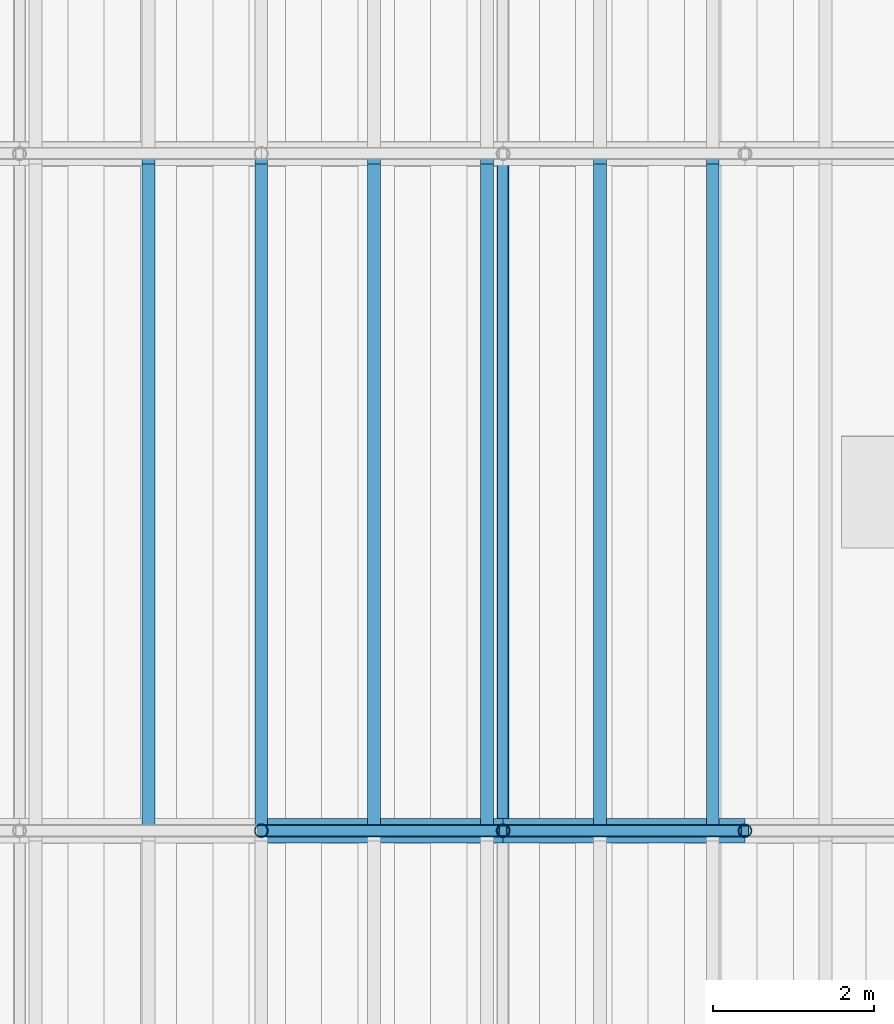
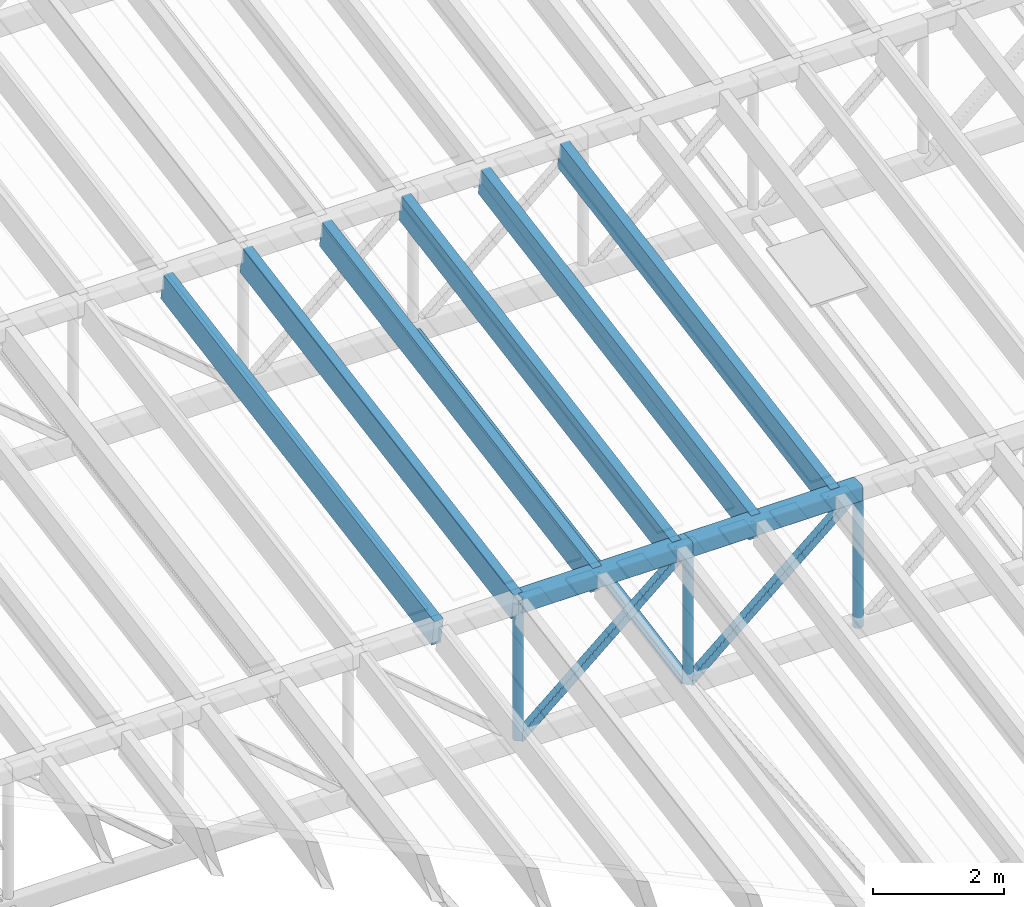
# One storey, part 5 of 91: 14 members.
"""IFC4 building model written with IfcOpenShell, lengths in metres."""

from ifc_helpers import new_model, si_unit, direction, frame, origin, origin_2d, place, context, subcontext, project, spatial, rectangle, hollow_rectangle, hollow_circle, extrude, material, material_profile, profile_set, type_object, element, save


model = new_model("IFC4")

# Units and contexts
model_context = context("Model", 3, precision=1e-05, world=origin(), true_north=direction((0.0, 1.0)))
body_context = subcontext(model_context, "Body", "Model", "MODEL_VIEW")
ifc_project = project(units=[si_unit("LENGTHUNIT", "METRE"), si_unit("AREAUNIT", "SQUARE_METRE"), si_unit("VOLUMEUNIT", "CUBIC_METRE"), si_unit("PLANEANGLEUNIT", "RADIAN"), si_unit("MASSUNIT", "GRAM", prefix="KILO")], contexts=[model_context])

# Site, building, storey
site_placement = place(None, origin())
site = spatial("IfcSite", under=ifc_project, at=site_placement, CompositionType="ELEMENT")
building_placement = place(site_placement, origin())
building = spatial("IfcBuilding", under=site, at=building_placement, Name="Almond Square Museum", CompositionType="ELEMENT")
storey_placement = place(building_placement, frame((0.0, 0.0, 30.0)))
storey = spatial("IfcBuildingStorey", under=building, at=storey_placement, Name="L05", CompositionType="ELEMENT", Elevation=30.0)

# Members
ifc_material_1 = material(Name="Glulam GL28h", Category="wood")
ifc_material_profile_1 = material_profile(ifc_material_1, rectangle(XDim=0.159912109375, YDim=0.5, at=origin_2d()))
ifc_profile_set_1 = profile_set([ifc_material_profile_1], Name="Glulam GL28h")
member_type_1 = type_object("IfcMemberType", Name="Glulam rafter GL28h 160x500", PredefinedType="RAFTER", material=ifc_profile_set_1)
for number, where, z_axis, x_axis, name in (
    (1, (126.39990234375, 58.830078125, 7.619873046875), (0.0, 0.985026646226, 0.172402164214), (-1.0, 0.0, 0.0), "Hall rafter 2.15"),
    (2, (127.800048828125, 58.830078125, 7.619873046875), (0.0, 0.985026646226, 0.172402164214), (-1.0, 0.0, 0.0), "Hall rafter 2.16"),
    (3, (129.199951171875, 58.830078125, 7.619873046875), (0.0, 0.985026646226, 0.172402164214), (-1.0, 0.0, 0.0), "Hall rafter 2.17"),
    (4, (130.60009765625, 58.830078125, 7.619873046875), (0.0, 0.985026646226, 0.172402164214), (-1.0, 0.0, 0.0), "Hall rafter 2.18"),
    (5, (132.0, 58.830078125, 7.619873046875), (0.0, 0.985026646226, 0.172402164214), (-1.0, 0.0, 0.0), "Hall rafter 2.19"),
    (6, (133.39990234375, 58.830078125, 7.619873046875), (0.0, 0.985026646226, 0.172402164214), (-1.0, 0.0, 0.0), "Hall rafter 2.20"),
):
    element("IfcMember", number, at=place(storey_placement, frame(where, z_axis=z_axis, x_axis=x_axis)), inside=storey, type_object=member_type_1, Name=name, PredefinedType="RAFTER", context=body_context, shape_type="SweptSolid", body=[
        extrude(rectangle(XDim=0.159912109375, YDim=0.5, at=origin_2d()), origin(), (0.0, 0.0, 1.0), 8.408935546875),
    ])
ifc_material_2 = material(Name="Structural steel S355", Category="steel")
ifc_material_profile_2 = material_profile(ifc_material_2, hollow_rectangle(XDim=0.300048828125, YDim=0.300048828125, WallThickness=0.012451171875, InnerFilletRadius=0.02490234375, OuterFilletRadius=0.03759765625, at=origin_2d()))
ifc_profile_set_2 = profile_set([ifc_material_profile_2], Name="Structural steel S355")
member_type_2 = type_object("IfcMemberType", Name="Truss chord SHS 300x300x12.5", PredefinedType="CHORD", material=ifc_profile_set_2)
for number, where, z_axis, x_axis, name in (
    (7, (127.800048828125, 58.800048828125, 7.718505859375), (1.0, 0.0, 0.0), (0.0, 1.0, 0.0), "TR-02 top chord 8"),
    (8, (130.800048828125, 58.800048828125, 7.718505859375), (1.0, 0.0, 0.0), (0.0, 1.0, 0.0), "TR-02 top chord 9"),
):
    element("IfcMember", number, at=place(storey_placement, frame(where, z_axis=z_axis, x_axis=x_axis)), inside=storey, type_object=member_type_2, Name=name, PredefinedType="CHORD", context=body_context, shape_type="SweptSolid", body=[
        extrude(hollow_rectangle(XDim=0.300048828125, YDim=0.300048828125, WallThickness=0.012451171875, InnerFilletRadius=0.02490234375, OuterFilletRadius=0.03759765625, at=origin_2d()), origin(), (0.0, 0.0, 1.0), 3.0),
    ])
ifc_material_3 = material(Name="Structural steel S355", Category="steel")
ifc_material_profile_3 = material_profile(ifc_material_3, hollow_rectangle(XDim=0.14990234375, YDim=0.14990234375, WallThickness=0.008056640625, InnerFilletRadius=0.011962890625, OuterFilletRadius=0.02001953125, at=origin_2d()))
ifc_profile_set_3 = profile_set([ifc_material_profile_3], Name="Structural steel S355")
member_type_3 = type_object("IfcMemberType", Name="Truss diagonal SHS 150x150x8", PredefinedType="BRACE", material=ifc_profile_set_3)
for number, where, z_axis, x_axis, name in (
    (9, (127.800048828125, 58.800048828125, 5.169921875), (0.762116801264, 0.0, 0.647439557975), (0.0, 1.0, 0.0), "TR-02 diagonal 8"),
    (10, (130.800048828125, 58.800048828125, 5.169921875), (0.762116801264, 0.0, 0.647439557975), (0.0, 1.0, 0.0), "TR-02 diagonal 9"),
):
    element("IfcMember", number, at=place(storey_placement, frame(where, z_axis=z_axis, x_axis=x_axis)), inside=storey, type_object=member_type_3, Name=name, PredefinedType="BRACE", context=body_context, shape_type="SweptSolid", body=[
        extrude(hollow_rectangle(XDim=0.14990234375, YDim=0.14990234375, WallThickness=0.008056640625, InnerFilletRadius=0.011962890625, OuterFilletRadius=0.02001953125, at=origin_2d()), origin(), (0.0, 0.0, 1.0), 3.9365234375),
    ])
ifc_material_4 = material(Name="Structural steel S355", Category="steel")
ifc_material_profile_4 = material_profile(ifc_material_4, hollow_circle(Radius=0.084228515625, WallThickness=0.008056640625, at=origin_2d()))
ifc_profile_set_4 = profile_set([ifc_material_profile_4], Name="Structural steel S355")
member_type_4 = type_object("IfcMemberType", Name="Truss post CHS 168.3x8", PredefinedType="POST", material=ifc_profile_set_4)
for number, where, z_axis, x_axis, name in (
    (11, (127.800048828125, 58.800048828125, 5.169921875), (0.0, 0.0, 1.0), (1.0, 0.0, 0.0), "TR-02 post 8"),
    (12, (130.800048828125, 58.800048828125, 5.169921875), (0.0, 0.0, 1.0), (1.0, 0.0, 0.0), "TR-02 post 9"),
    (13, (133.800048828125, 58.800048828125, 5.169921875), (0.0, 0.0, 1.0), (1.0, 0.0, 0.0), "TR-02 post 10"),
):
    element("IfcMember", number, at=place(storey_placement, frame(where, z_axis=z_axis, x_axis=x_axis)), inside=storey, type_object=member_type_4, Name=name, PredefinedType="POST", context=body_context, shape_type="SweptSolid", body=[
        extrude(hollow_circle(Radius=0.084228515625, WallThickness=0.008056640625, at=origin_2d()), origin(), (0.0, 0.0, 1.0), 2.548583984375),
    ])
ifc_material_5 = material(Name="Structural steel S355", Category="steel")
ifc_material_profile_5 = material_profile(ifc_material_5, hollow_rectangle(XDim=0.14990234375, YDim=0.14990234375, WallThickness=0.008056640625, InnerFilletRadius=0.011962890625, OuterFilletRadius=0.02001953125, at=origin_2d()))
ifc_profile_set_5 = profile_set([ifc_material_profile_5], Name="Structural steel S355")
member_type_5 = type_object("IfcMemberType", Name="Truss tie SHS 150x150x8", PredefinedType="MEMBER", material=ifc_profile_set_5)
member_placement = place(storey_placement, frame((130.800048828125, 58.875, 5.169921875), z_axis=(0.0, 0.984494486924, 0.175415521596), x_axis=(-1.0, 0.0, 0.0)))
element("IfcMember", 14, at=member_placement, inside=storey, type_object=member_type_5, Name="Hall bay 2 tie 5", PredefinedType="MEMBER", context=body_context, shape_type="SweptSolid", body=[
    extrude(hollow_rectangle(XDim=0.14990234375, YDim=0.14990234375, WallThickness=0.008056640625, InnerFilletRadius=0.011962890625, OuterFilletRadius=0.02001953125, at=origin_2d()), origin(), (0.0, 0.0, 1.0), 8.3798828125),
])

save(model, "model.ifc")
